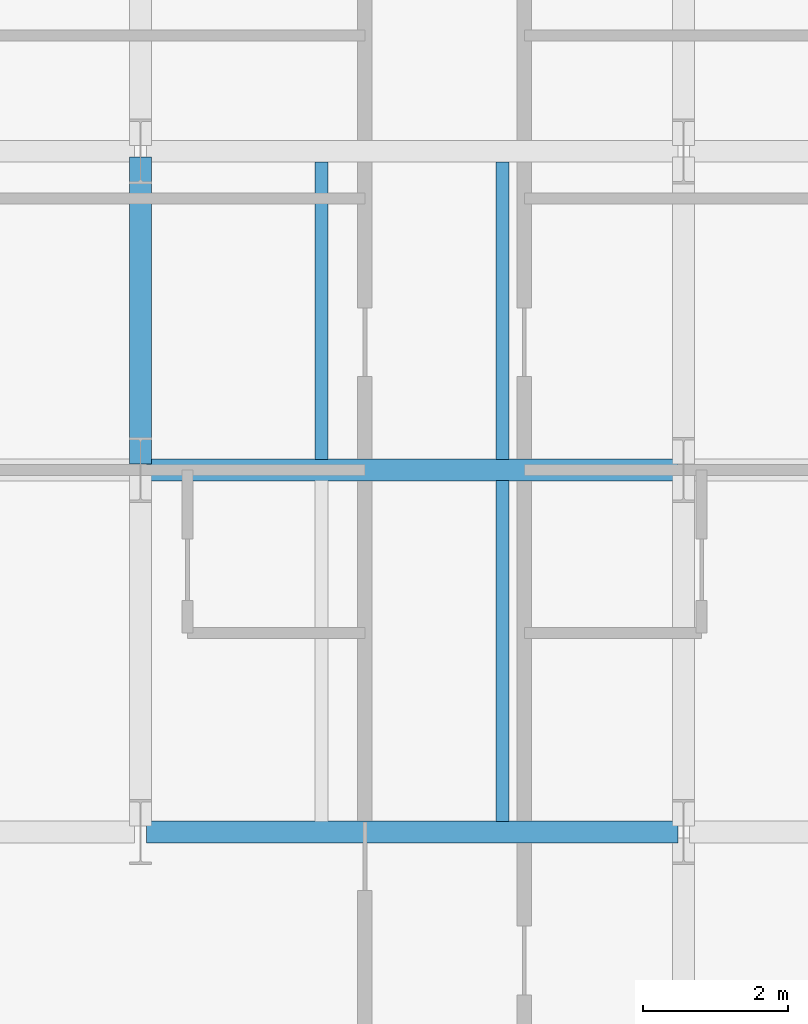
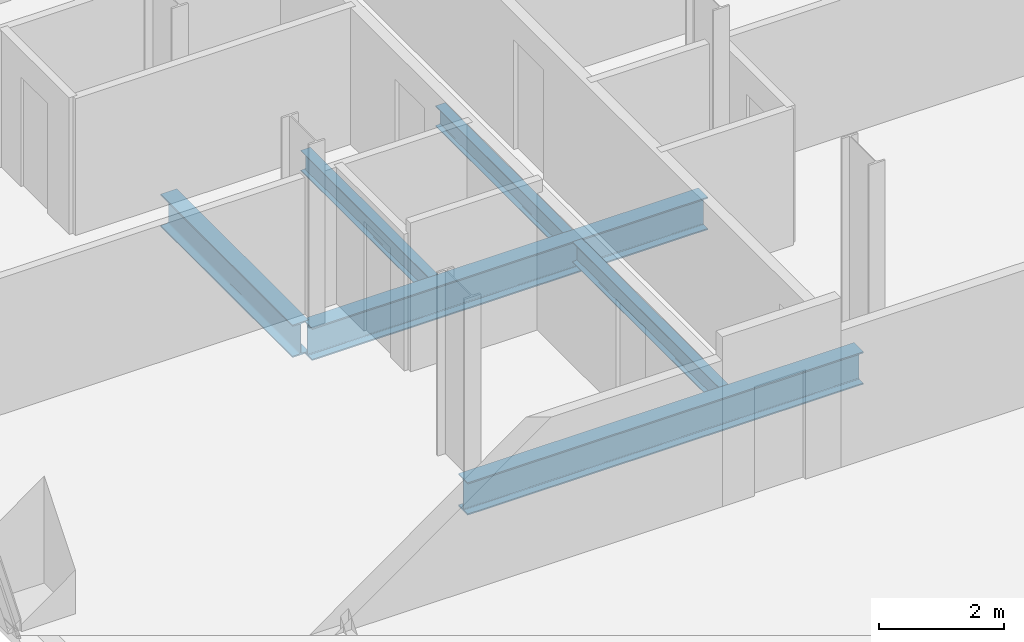
# One storey, part 5 of 31: 6 beams.
"""IFC4 building model written with IfcOpenShell, lengths in metres."""

from ifc_helpers import new_model, si_unit, direction, frame, origin, origin_2d, place, context, subcontext, project, spatial, i_section, extrude, material, material_profile, profile_set, type_object, element, save


model = new_model("IFC4")

# Units and contexts
model_context = context("Model", 3, precision=1e-05, world=origin(), true_north=direction((0.0, 1.0)))
body_context = subcontext(model_context, "Body", "Model", "MODEL_VIEW")
ifc_project = project(units=[si_unit("LENGTHUNIT", "METRE"), si_unit("AREAUNIT", "SQUARE_METRE"), si_unit("VOLUMEUNIT", "CUBIC_METRE"), si_unit("PLANEANGLEUNIT", "RADIAN"), si_unit("MASSUNIT", "GRAM", prefix="KILO")], contexts=[model_context])

# Site, building, storey
site_placement = place(None, origin())
site = spatial("IfcSite", under=ifc_project, at=site_placement, CompositionType="ELEMENT")
building_placement = place(site_placement, origin())
building = spatial("IfcBuilding", under=site, at=building_placement, Name="Catumbela Crestline Tower", CompositionType="ELEMENT")
storey_placement = place(building_placement, frame((0.0, 0.0, 25.8)))
storey = spatial("IfcBuildingStorey", under=building, at=storey_placement, Name="L05", CompositionType="ELEMENT", Elevation=25.8)

# Beams
ifc_material = material(Name="Structural steel S355J2", Category="steel")
ifc_material_profile_1 = material_profile(ifc_material, i_section(OverallWidth=0.3, OverallDepth=0.64, WebThickness=0.0135, FlangeThickness=0.026, FilletRadius=0.027, at=origin_2d()), Name="HEA 650")
ifc_profile_set_1 = profile_set([ifc_material_profile_1], Name="Structural steel S355J2")
beam_type_1 = type_object("IfcBeamType", Name="BG-HEA650", PredefinedType="BEAM", material=ifc_profile_set_1)
for number, where, z_axis, x_axis, name in (
    (1, (8.58, 8.6, -0.58), (1.0, 0.0, 0.0), (0.0, 1.0, 0.0), "L05 Beam BM-L05-WEW49"),
    (2, (8.58, 13.6, -0.58), (1.0, 0.0, 0.0), (0.0, 1.0, 0.0), "L05 Beam BM-L05-WEW52"),
):
    element("IfcBeam", number, at=place(storey_placement, frame(where, z_axis=z_axis, x_axis=x_axis)), inside=storey, type_object=beam_type_1, Name=name, PredefinedType="BEAM", context=body_context, shape_type="SweptSolid", body=[
        extrude(i_section(OverallWidth=0.3, OverallDepth=0.64, WebThickness=0.0135, FlangeThickness=0.026, FilletRadius=0.027, at=origin_2d()), origin(), (0.0, 0.0, 1.0), 7.34),
    ])
beam_1_placement = place(storey_placement, frame((8.5, 13.68, -0.58), z_axis=(0.0, 1.0, 0.0), x_axis=(-1.0, 0.0, 0.0)))
element("IfcBeam", 3, at=beam_1_placement, inside=storey, type_object=beam_type_1, Name="L05 Beam BM-L05-WNS62", PredefinedType="BEAM", context=body_context, shape_type="SweptSolid", body=[
    extrude(i_section(OverallWidth=0.3, OverallDepth=0.64, WebThickness=0.0135, FlangeThickness=0.026, FilletRadius=0.027, at=origin_2d()), origin(), (0.0, 0.0, 1.0), 4.24),
])
ifc_material_profile_2 = material_profile(ifc_material, i_section(OverallWidth=0.18, OverallDepth=0.4, WebThickness=0.0086, FlangeThickness=0.0135, FilletRadius=0.021, at=origin_2d()), Name="IPE 400")
ifc_profile_set_2 = profile_set([ifc_material_profile_2], Name="Structural steel S355J2")
beam_type_2 = type_object("IfcBeamType", Name="BJ-IPE400", PredefinedType="JOIST", material=ifc_profile_set_2)
beam_2_placement = place(storey_placement, frame((13.5, 8.747, -0.46), z_axis=(0.0, 1.0, 0.0), x_axis=(-1.0, 0.0, 0.0)))
element("IfcBeam", 4, at=beam_2_placement, inside=storey, type_object=beam_type_2, Name="L05 Joist JS-L05-WG73", PredefinedType="JOIST", context=body_context, shape_type="SweptSolid", body=[
    extrude(i_section(OverallWidth=0.18, OverallDepth=0.4, WebThickness=0.0086, FlangeThickness=0.0135, FilletRadius=0.021, at=origin_2d()), origin(), (0.0, 0.0, 1.0), 4.706),
])
for number, where, z_axis, x_axis, name in (
    (5, (11.0, 13.747, -0.46), (0.0, 1.0, 0.0), (-1.0, 0.0, 0.0), "L05 Joist JS-L05-WG78"),
    (6, (13.5, 13.747, -0.46), (0.0, 1.0, 0.0), (-1.0, 0.0, 0.0), "L05 Joist JS-L05-WG79"),
):
    element("IfcBeam", number, at=place(storey_placement, frame(where, z_axis=z_axis, x_axis=x_axis)), inside=storey, type_object=beam_type_2, Name=name, PredefinedType="JOIST", context=body_context, shape_type="SweptSolid", body=[
        extrude(i_section(OverallWidth=0.18, OverallDepth=0.4, WebThickness=0.0086, FlangeThickness=0.0135, FilletRadius=0.021, at=origin_2d()), origin(), (0.0, 0.0, 1.0), 4.106),
    ])

save(model, "model.ifc")
